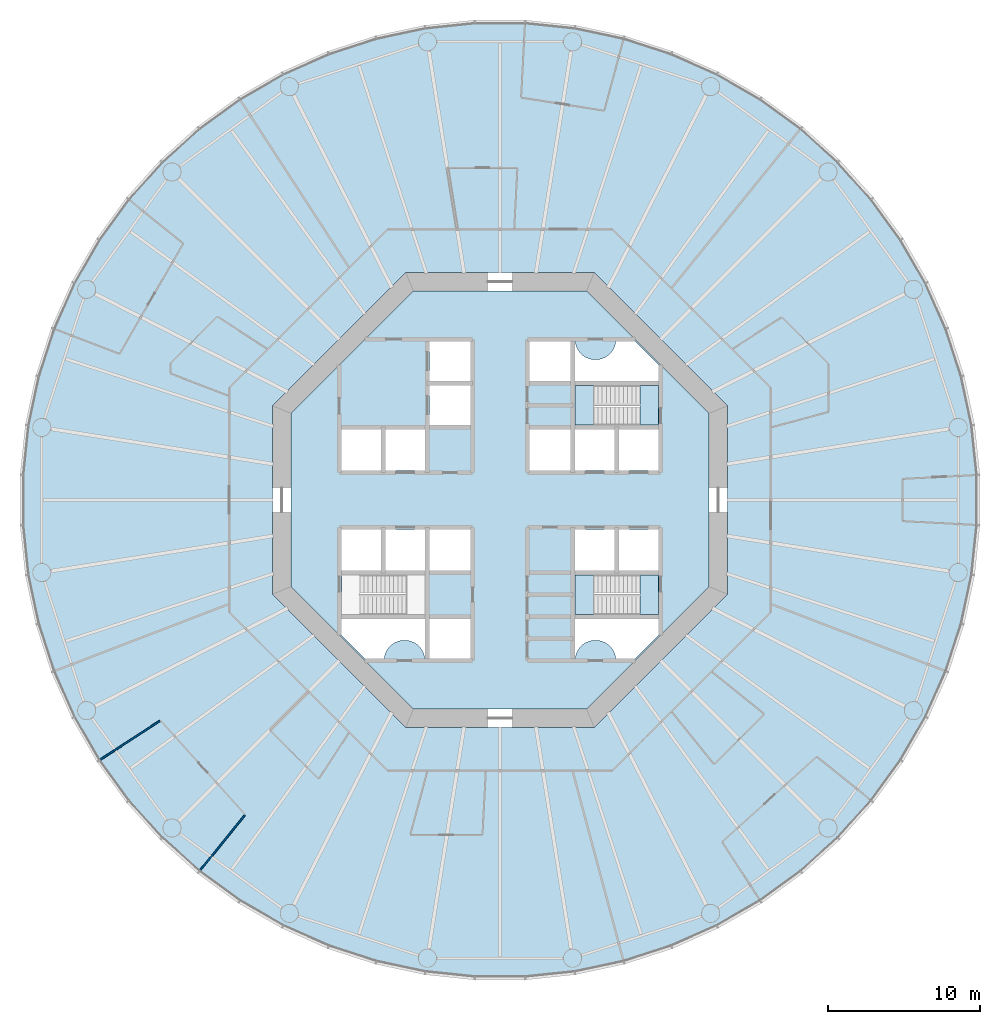
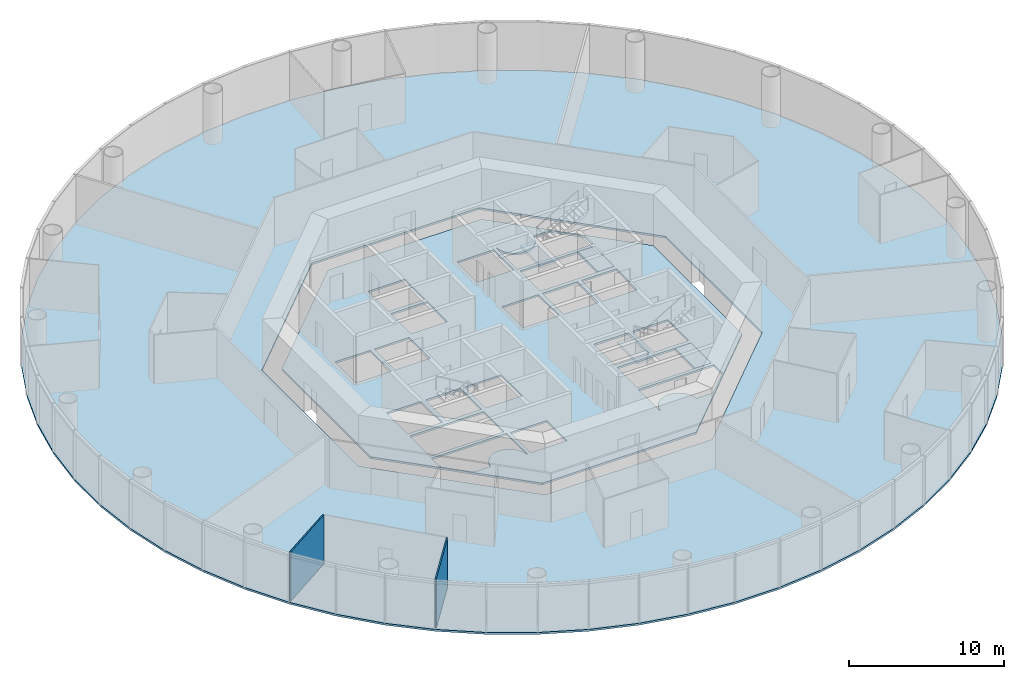
# One storey, part 2 of 13: 6 slabs, 2 walls, 2 elements without a shape of their own.
"""IFC4 building model written with IfcOpenShell, lengths in metres."""

from ifc_helpers import new_model, si_unit, direction, frame, frame_2d, origin, place, context, subcontext, project, spatial, polyline, rectangle, outline, extrude, material, layer, layer_set, type_object, element, aggregate, save


model = new_model("IFC4")

# Units and contexts
model_context = context("Model", 3, precision=1e-05, world=origin(), true_north=direction((0.0, 1.0)))
body_context = subcontext(model_context, "Body", "Model", "MODEL_VIEW")
ifc_project = project(units=[si_unit("LENGTHUNIT", "METRE"), si_unit("AREAUNIT", "SQUARE_METRE"), si_unit("VOLUMEUNIT", "CUBIC_METRE"), si_unit("PLANEANGLEUNIT", "RADIAN"), si_unit("MASSUNIT", "GRAM", prefix="KILO")], contexts=[model_context])

# Site, building, storey
site_placement = place(None, origin())
site = spatial("IfcSite", under=ifc_project, at=site_placement, CompositionType="ELEMENT")
building_placement = place(site_placement, origin())
building = spatial("IfcBuilding", under=site, at=building_placement, Name="Entoto Ring Tower", CompositionType="ELEMENT")
storey_placement = place(building_placement, frame((0.0, 0.0, 120.0)))
storey = spatial("IfcBuildingStorey", under=building, at=storey_placement, Name="L27", CompositionType="ELEMENT", Elevation=120.0)

# Slabs
ifc_material_1 = material(Name="Concrete C30/37", Category="concrete")
ifc_layer_1 = layer(ifc_material_1, 0.14990234375)
ifc_layer_set_1 = layer_set([ifc_layer_1], Name="Concrete C30/37")
slab_type_1 = type_object("IfcSlabType", Name="Composite floor slab 150 mm", PredefinedType="FLOOR", material=ifc_layer_set_1)
slab_1_placement = place(storey_placement, frame((0.0, 0.0, -0.14990234375)))
element("IfcSlab", 1, at=slab_1_placement, inside=storey, type_object=slab_type_1, Name="Floor slab L27", PredefinedType="FLOOR", context=body_context, shape_type="SweptSolid", body=[
    extrude(outline(polyline([(121.2109375, 84.943359375), (120.523193359375, 88.1787109375), (119.501220703125, 91.324462890625), (118.15576171875, 94.34619140625), (116.501953125, 97.210693359375), (114.557861328125, 99.886474609375), (112.344482421875, 102.344482421875), (109.886474609375, 104.557861328125), (107.210693359375, 106.501953125), (104.34619140625, 108.15576171875), (101.324462890625, 109.501220703125), (98.1787109375, 110.523193359375), (94.943359375, 111.2109375), (91.65380859375, 111.556640625), (88.34619140625, 111.556640625), (85.056640625, 111.2109375), (81.8212890625, 110.523193359375), (78.675537109375, 109.501220703125), (75.65380859375, 108.15576171875), (72.789306640625, 106.501953125), (70.113525390625, 104.557861328125), (67.655517578125, 102.344482421875), (65.442138671875, 99.886474609375), (63.498046875, 97.210693359375), (61.84423828125, 94.34619140625), (60.498779296875, 91.324462890625), (59.476806640625, 88.1787109375), (58.7890625, 84.943359375), (58.443359375, 81.65380859375), (58.443359375, 78.34619140625), (58.7890625, 75.056640625), (59.476806640625, 71.8212890625), (60.498779296875, 68.675537109375), (61.84423828125, 65.65380859375), (63.498046875, 62.789306640625), (65.442138671875, 60.113525390625), (67.655517578125, 57.655517578125), (70.113525390625, 55.442138671875), (72.789306640625, 53.498046875), (75.65380859375, 51.84423828125), (78.675537109375, 50.498779296875), (81.8212890625, 49.476806640625), (85.056640625, 48.7890625), (88.34619140625, 48.443359375), (91.65380859375, 48.443359375), (94.943359375, 48.7890625), (98.1787109375, 49.476806640625), (101.324462890625, 50.498779296875), (104.34619140625, 51.84423828125), (107.210693359375, 53.498046875), (109.886474609375, 55.442138671875), (112.344482421875, 57.655517578125), (114.557861328125, 60.113525390625), (116.501953125, 62.789306640625), (118.15576171875, 65.65380859375), (119.501220703125, 68.675537109375), (120.523193359375, 71.8212890625), (121.2109375, 75.056640625), (121.556640625, 78.34619140625), (121.556640625, 81.65380859375), (121.2109375, 84.943359375)]), holes=[polyline([(105.0, 73.786865234375), (105.0, 86.213134765625), (96.213134765625, 95.0), (83.786865234375, 95.0), (75.0, 86.213134765625), (75.0, 73.786865234375), (83.786865234375, 65.0), (96.213134765625, 65.0), (105.0, 73.786865234375)])]), origin(), (0.0, 0.0, 1.0), 0.14990234375),
])
ifc_material_2 = material(Name="Concrete C40/50", Category="concrete")
ifc_layer_2 = layer(ifc_material_2, 0.14990234375)
ifc_layer_set_2 = layer_set([ifc_layer_2], Name="Concrete C40/50")
slab_type_2 = type_object("IfcSlabType", Name="Core floor slab 150 mm reinforced concrete C40/50", PredefinedType="FLOOR", material=ifc_layer_set_2)
slab_2_placement = place(storey_placement, frame((0.0, 0.0, -0.14990234375)))
element("IfcSlab", 2, at=slab_2_placement, inside=storey, type_object=slab_type_2, Name="Core floor L27", PredefinedType="FLOOR", context=body_context, shape_type="SweptSolid", body=[
    extrude(outline(polyline([(103.800048828125, 74.283935546875), (103.800048828125, 85.716064453125), (95.716064453125, 93.800048828125), (84.283935546875, 93.800048828125), (76.199951171875, 85.716064453125), (76.199951171875, 74.283935546875), (84.283935546875, 66.199951171875), (95.716064453125, 66.199951171875), (103.800048828125, 74.283935546875)]), holes=[polyline([(100.449951171875, 84.949951171875), (100.449951171875, 87.550048828125), (94.949951171875, 87.550048828125), (94.949951171875, 84.949951171875), (100.449951171875, 84.949951171875)]), polyline([(85.050048828125, 72.449951171875), (85.050048828125, 75.050048828125), (79.550048828125, 75.050048828125), (79.550048828125, 72.449951171875), (85.050048828125, 72.449951171875)]), polyline([(100.449951171875, 72.449951171875), (100.449951171875, 75.050048828125), (94.949951171875, 75.050048828125), (94.949951171875, 72.449951171875), (100.449951171875, 72.449951171875)]), polyline([(94.949951171875, 81.949951171875), (97.550048828125, 81.949951171875), (97.550048828125, 84.64990234375), (94.949951171875, 84.64990234375), (94.949951171875, 81.949951171875)]), polyline([(97.85009765625, 81.949951171875), (100.449951171875, 81.949951171875), (100.449951171875, 84.64990234375), (97.85009765625, 84.64990234375), (97.85009765625, 81.949951171875)]), polyline([(82.449951171875, 81.949951171875), (85.050048828125, 81.949951171875), (85.050048828125, 84.64990234375), (82.449951171875, 84.64990234375), (82.449951171875, 81.949951171875)]), polyline([(94.949951171875, 75.35009765625), (97.550048828125, 75.35009765625), (97.550048828125, 78.050048828125), (94.949951171875, 78.050048828125), (94.949951171875, 75.35009765625)]), polyline([(97.85009765625, 75.35009765625), (100.449951171875, 75.35009765625), (100.449951171875, 78.050048828125), (97.85009765625, 78.050048828125), (97.85009765625, 75.35009765625)]), polyline([(82.449951171875, 75.35009765625), (85.050048828125, 75.35009765625), (85.050048828125, 78.050048828125), (82.449951171875, 78.050048828125), (82.449951171875, 75.35009765625)]), polyline([(79.550048828125, 81.949951171875), (82.14990234375, 81.949951171875), (82.14990234375, 84.64990234375), (79.550048828125, 84.64990234375), (79.550048828125, 81.949951171875)]), polyline([(79.550048828125, 75.35009765625), (82.14990234375, 75.35009765625), (82.14990234375, 78.050048828125), (79.550048828125, 78.050048828125), (79.550048828125, 75.35009765625)]), polyline([(91.949951171875, 87.85009765625), (94.64990234375, 87.85009765625), (94.64990234375, 90.449951171875), (91.949951171875, 90.449951171875), (91.949951171875, 87.85009765625)]), polyline([(85.35009765625, 69.550048828125), (88.050048828125, 69.550048828125), (88.050048828125, 72.14990234375), (85.35009765625, 72.14990234375), (85.35009765625, 69.550048828125)]), polyline([(91.949951171875, 81.949951171875), (94.64990234375, 81.949951171875), (94.64990234375, 84.64990234375), (91.949951171875, 84.64990234375), (91.949951171875, 81.949951171875)]), polyline([(85.35009765625, 75.35009765625), (88.050048828125, 75.35009765625), (88.050048828125, 78.050048828125), (85.35009765625, 78.050048828125), (85.35009765625, 75.35009765625)]), polyline([(85.35009765625, 84.949951171875), (88.050048828125, 84.949951171875), (88.050048828125, 87.550048828125), (85.35009765625, 87.550048828125), (85.35009765625, 84.949951171875)]), polyline([(85.35009765625, 87.85009765625), (88.050048828125, 87.85009765625), (88.050048828125, 90.449951171875), (85.35009765625, 90.449951171875), (85.35009765625, 87.85009765625)]), polyline([(94.89990234375, 90.5), (94.89990234375, 87.800048828125), (100.5, 87.800048828125), (100.5, 88.874755859375), (98.874755859375, 90.5), (97.64501953125, 90.5), (97.6435546875, 90.4677734375), (97.6240234375, 90.336669921875), (97.591796875, 90.2080078125), (97.547119140625, 90.08349609375), (97.490478515625, 89.963623046875), (97.422607421875, 89.85009765625), (97.343505859375, 89.74365234375), (97.254638671875, 89.6455078125), (97.156494140625, 89.556396484375), (97.050048828125, 89.4775390625), (96.936279296875, 89.409423828125), (96.816650390625, 89.352783203125), (96.69189453125, 89.30810546875), (96.5634765625, 89.27587890625), (96.432373046875, 89.256591796875), (96.300048828125, 89.25), (96.167724609375, 89.256591796875), (96.03662109375, 89.27587890625), (95.908203125, 89.30810546875), (95.783447265625, 89.352783203125), (95.66357421875, 89.409423828125), (95.550048828125, 89.4775390625), (95.443603515625, 89.556396484375), (95.345458984375, 89.6455078125), (95.25634765625, 89.74365234375), (95.177490234375, 89.85009765625), (95.109375, 89.963623046875), (95.052734375, 90.08349609375), (95.008056640625, 90.2080078125), (94.975830078125, 90.336669921875), (94.95654296875, 90.4677734375), (94.954833984375, 90.5), (94.89990234375, 90.5)]), polyline([(79.5, 71.125244140625), (81.125244140625, 69.5), (82.35498046875, 69.5), (82.3564453125, 69.5322265625), (82.3759765625, 69.663330078125), (82.408203125, 69.7919921875), (82.452880859375, 69.91650390625), (82.509521484375, 70.036376953125), (82.577392578125, 70.14990234375), (82.656494140625, 70.25634765625), (82.745361328125, 70.3544921875), (82.843505859375, 70.443603515625), (82.949951171875, 70.5224609375), (83.063720703125, 70.590576171875), (83.183349609375, 70.647216796875), (83.30810546875, 70.69189453125), (83.4365234375, 70.72412109375), (83.567626953125, 70.743408203125), (83.699951171875, 70.75), (83.832275390625, 70.743408203125), (83.96337890625, 70.72412109375), (84.091796875, 70.69189453125), (84.216552734375, 70.647216796875), (84.33642578125, 70.590576171875), (84.449951171875, 70.5224609375), (84.556396484375, 70.443603515625), (84.654541015625, 70.3544921875), (84.74365234375, 70.25634765625), (84.822509765625, 70.14990234375), (84.890625, 70.036376953125), (84.947265625, 69.91650390625), (84.991943359375, 69.7919921875), (85.024169921875, 69.663330078125), (85.04345703125, 69.5322265625), (85.045166015625, 69.5), (85.10009765625, 69.5), (85.10009765625, 72.199951171875), (79.5, 72.199951171875), (79.5, 71.125244140625)]), polyline([(97.64501953125, 69.5), (98.874755859375, 69.5), (100.5, 71.125244140625), (100.5, 72.199951171875), (94.89990234375, 72.199951171875), (94.89990234375, 69.5), (94.954833984375, 69.5), (94.95654296875, 69.5322265625), (94.975830078125, 69.663330078125), (95.008056640625, 69.7919921875), (95.052734375, 69.91650390625), (95.109375, 70.036376953125), (95.177490234375, 70.14990234375), (95.25634765625, 70.25634765625), (95.345458984375, 70.3544921875), (95.443603515625, 70.443603515625), (95.550048828125, 70.5224609375), (95.66357421875, 70.590576171875), (95.783447265625, 70.647216796875), (95.908203125, 70.69189453125), (96.03662109375, 70.72412109375), (96.167724609375, 70.743408203125), (96.300048828125, 70.75), (96.432373046875, 70.743408203125), (96.5634765625, 70.72412109375), (96.69189453125, 70.69189453125), (96.816650390625, 70.647216796875), (96.936279296875, 70.590576171875), (97.050048828125, 70.5224609375), (97.156494140625, 70.443603515625), (97.254638671875, 70.3544921875), (97.343505859375, 70.25634765625), (97.422607421875, 70.14990234375), (97.490478515625, 70.036376953125), (97.547119140625, 69.91650390625), (97.591796875, 69.7919921875), (97.6240234375, 69.663330078125), (97.6435546875, 69.5322265625), (97.64501953125, 69.5)])]), origin(), (0.0, 0.0, 1.0), 0.14990234375),
])

# Stair, slabs
ifc_material_3 = material(Name="Concrete C40/50", Category="concrete")
stair_type = type_object("IfcStairType", Name="Exit stair 1200 mm dog-leg reinforced concrete", PredefinedType="HALF_TURN_STAIR", material=ifc_material_3)
stair_1_placement = place(storey_placement, origin())
stair_1 = element("IfcStair", 3, at=stair_1_placement, inside=storey, type_object=stair_type, Name="Exit stair 1", PredefinedType="HALF_TURN_STAIR")
ifc_material_4 = material(Name="Concrete C40/50", Category="concrete")
ifc_layer_3 = layer(ifc_material_4, 0.199951171875)
ifc_layer_set_3 = layer_set([ifc_layer_3], Name="Concrete C40/50")
slab_type_3 = type_object("IfcSlabType", Name="Stair landing 200 mm reinforced concrete", PredefinedType="LANDING", material=ifc_layer_set_3)
slab_3_placement = place(storey_placement, frame((0.0, 0.0, -0.199951171875)))
slab_3 = element("IfcSlab", 4, at=slab_3_placement, type_object=slab_type_3, Name="ST1 landing 1", PredefinedType="LANDING", context=body_context, shape_type="SweptSolid", body=[
    extrude(outline(polyline([(100.449951171875, 84.949951171875), (100.449951171875, 87.550048828125), (99.25, 87.550048828125), (99.25, 84.949951171875), (100.449951171875, 84.949951171875)])), origin(), (0.0, 0.0, 1.0), 0.199951171875),
])
slab_4_placement = place(storey_placement, frame((0.0, 0.0, 1.800048828125)))
slab_4 = element("IfcSlab", 5, at=slab_4_placement, type_object=slab_type_3, Name="ST1 landing 2", PredefinedType="LANDING", context=body_context, shape_type="SweptSolid", body=[
    extrude(outline(polyline([(94.949951171875, 84.949951171875), (96.169921875, 84.949951171875), (96.169921875, 87.550048828125), (94.949951171875, 87.550048828125), (94.949951171875, 84.949951171875)])), origin(), (0.0, 0.0, 1.0), 0.199951171875),
])
aggregate(stair_1, [slab_3, slab_4])

stair_2_placement = place(storey_placement, origin())
stair_2 = element("IfcStair", 6, at=stair_2_placement, inside=storey, type_object=stair_type, Name="Exit stair 3", PredefinedType="HALF_TURN_STAIR")
slab_5_placement = place(storey_placement, frame((0.0, 0.0, -0.199951171875)))
slab_5 = element("IfcSlab", 7, at=slab_5_placement, type_object=slab_type_3, Name="ST3 landing 1", PredefinedType="LANDING", context=body_context, shape_type="SweptSolid", body=[
    extrude(outline(polyline([(100.449951171875, 72.449951171875), (100.449951171875, 75.050048828125), (99.25, 75.050048828125), (99.25, 72.449951171875), (100.449951171875, 72.449951171875)])), origin(), (0.0, 0.0, 1.0), 0.199951171875),
])
slab_6_placement = place(storey_placement, frame((0.0, 0.0, 1.800048828125)))
slab_6 = element("IfcSlab", 8, at=slab_6_placement, type_object=slab_type_3, Name="ST3 landing 2", PredefinedType="LANDING", context=body_context, shape_type="SweptSolid", body=[
    extrude(outline(polyline([(94.949951171875, 72.449951171875), (96.169921875, 72.449951171875), (96.169921875, 75.050048828125), (94.949951171875, 75.050048828125), (94.949951171875, 72.449951171875)])), origin(), (0.0, 0.0, 1.0), 0.199951171875),
])
aggregate(stair_2, [slab_5, slab_6])

# Walls
ifc_material_5 = material(Name="Plasterboard on steel studs", Category="steel")
ifc_layer_4 = layer(ifc_material_5, 0.10009765625)
ifc_layer_set_4 = layer_set([ifc_layer_4], Name="Plasterboard on steel studs")
wall_type = type_object("IfcWallType", Name="Partition 100 mm plasterboard on steel studs", PredefinedType="PARTITIONING", material=ifc_layer_set_4)
wall_1_placement = place(storey_placement, frame((63.632080078125, 62.87646484375, 0.0), z_axis=(0.0, 0.0, 1.0), x_axis=(0.838659964032, 0.544655363262, 0.0)))
element("IfcWall", 9, at=wall_1_placement, inside=storey, type_object=wall_type, Name="partition-L27-023", PredefinedType="PARTITIONING", context=body_context, shape_type="SweptSolid", body=[
    extrude(rectangle(XDim=4.69091796875, YDim=0.10009765625, at=frame_2d((2.345458984375, 0.0))), origin(), (0.0, 0.0, 1.0), 3.85009765625),
])
wall_2_placement = place(storey_placement, frame((70.214111328125, 55.56640625, 0.0), z_axis=(0.0, 0.0, 1.0), x_axis=(0.629298538396, 0.777163656879, 0.0)))
element("IfcWall", 10, at=wall_2_placement, inside=storey, type_object=wall_type, Name="partition-L27-024", PredefinedType="PARTITIONING", context=body_context, shape_type="SweptSolid", body=[
    extrude(rectangle(XDim=4.690673828125, YDim=0.10009765625, at=frame_2d((2.34521484375, 0.0))), origin(), (0.0, 0.0, 1.0), 3.85009765625),
])

save(model, "model.ifc")
